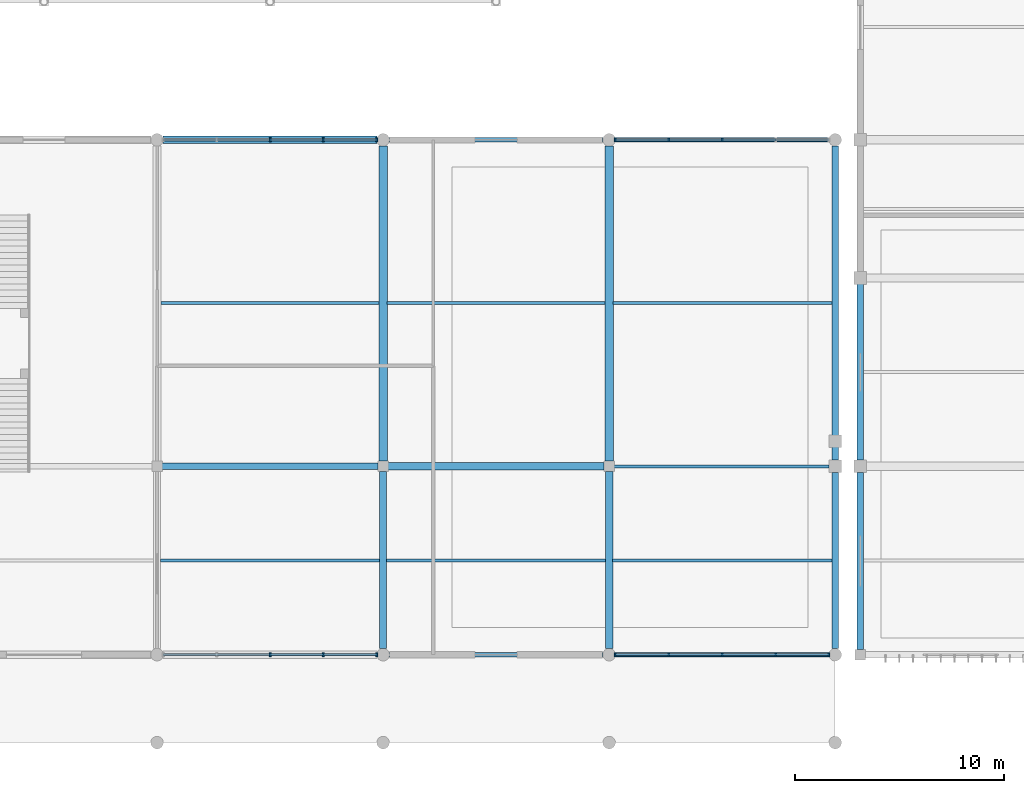
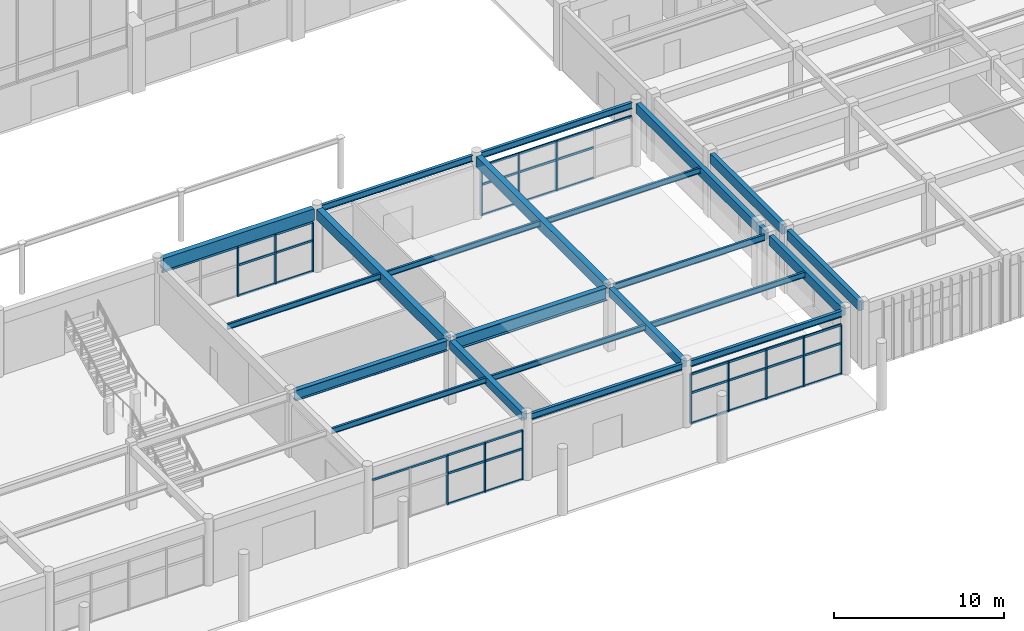
# One storey, part 32 of 82: 40 members, 22 beams, 4 elements without a shape of their own.
"""IFC4 building model written with IfcOpenShell, lengths in metres."""

import ifcopenshell
import ifcopenshell.guid

model = None  # the IFC model being written
_history = None  # IfcOwnerHistory: only IFC2X3 demands one
_inside = {}  # id of a spatial element -> (the spatial element, [elements in it])
_under = {}  # id of a project, library or spatial element -> (it, [spatial elements below it])
_declared = {}  # id of a project -> (the project, [libraries it declares])
_typed = {}  # id of a type object -> (the type object, [elements of that type])
_made_of = {}  # id of a material, layer set ... -> (it, [elements and type objects made of it])


def new_model(schema):
    """Start an empty IFC model of exactly this schema.

    Asked for "IFC4X3", IfcOpenShell would pick the latest addendum, in which some entities
    have other attributes; the version numbers below select the first issue.
    IFC2X3 requires an IfcOwnerHistory on every rooted entity: one is made here for all.
    """
    global model, _history
    if schema == "IFC4X3":
        model = ifcopenshell.file(schema_version=(4, 3, 0, 0))
    else:
        model = ifcopenshell.file(schema=schema)
    _inside.clear()
    _under.clear()
    _declared.clear()
    _typed.clear()
    _made_of.clear()
    _history = None
    if model.schema == "IFC2X3":
        org = make("IfcOrganization", Name="unknown")
        user = make(
            "IfcPersonAndOrganization",
            ThePerson=make("IfcPerson", FamilyName="unknown"),
            TheOrganization=org,
        )
        app = make(
            "IfcApplication",
            ApplicationDeveloper=org,
            Version="unknown",
            ApplicationFullName="unknown",
            ApplicationIdentifier="unknown",
        )
        _history = make(
            "IfcOwnerHistory",
            OwningUser=user,
            OwningApplication=app,
            ChangeAction="ADDED",
            CreationDate=0,
        )
    return model


def make(cls, **values):
    """One entity of the class cls with the attributes given. An attribute that is None is left unset."""
    return model.create_entity(
        cls, **{name: value for name, value in values.items() if value is not None}
    )


def rooted(cls, **values):
    """An entity with a GlobalId (a new one), such as an element, a storey or a relation."""
    return make(cls, GlobalId=ifcopenshell.guid.new(), OwnerHistory=_history, **values)


def si_unit(unit_type, name, prefix=None):
    """IfcSIUnit, for example si_unit("LENGTHUNIT", "METRE", prefix="MILLI")."""
    return make("IfcSIUnit", UnitType=unit_type, Prefix=prefix, Name=name)


def assignment(units):
    """IfcUnitAssignment: the units of a project."""
    return None if units is None else make("IfcUnitAssignment", Units=units)


def point(xyz):
    """IfcCartesianPoint."""
    return None if xyz is None else make("IfcCartesianPoint", Coordinates=xyz)


def direction(xyz):
    """IfcDirection."""
    return None if xyz is None else make("IfcDirection", DirectionRatios=xyz)


def frame(location, z_axis=None, x_axis=None):
    """IfcAxis2Placement3D, a coordinate frame: its origin and axes. An axis left out is left unset."""
    return make(
        "IfcAxis2Placement3D",
        Location=point(location),
        Axis=direction(z_axis),
        RefDirection=direction(x_axis),
    )


def frame_2d(location, x_axis=None):
    """IfcAxis2Placement2D, a coordinate frame in the plane: its origin and x axis."""
    return make(
        "IfcAxis2Placement2D", Location=point(location), RefDirection=direction(x_axis)
    )


def origin():
    """The frame at (0, 0, 0) with its axes left unset."""
    return frame((0.0, 0.0, 0.0))


def origin_2d():
    """The frame at (0, 0) in the plane with its x axis left unset."""
    return frame_2d((0.0, 0.0))


def place(relative_to, where):
    """IfcLocalPlacement: puts the frame where relative to a parent placement (None: the world)."""
    return make(
        "IfcLocalPlacement", PlacementRelTo=relative_to, RelativePlacement=where
    )


def context(
    kind, dimensions, precision=None, world=None, true_north=None, identifier=None
):
    """IfcGeometricRepresentationContext, for example the 3D "Model" context."""
    return make(
        "IfcGeometricRepresentationContext",
        ContextIdentifier=identifier,
        ContextType=kind,
        CoordinateSpaceDimension=dimensions,
        Precision=precision,
        WorldCoordinateSystem=world,
        TrueNorth=true_north,
    )


def subcontext(parent, identifier, kind, view, scale=None):
    """IfcGeometricRepresentationSubContext, for example "Body" below "Model"."""
    return make(
        "IfcGeometricRepresentationSubContext",
        ContextIdentifier=identifier,
        ContextType=kind,
        ParentContext=parent,
        TargetScale=scale,
        TargetView=view,
    )


def project(units=None, contexts=None):
    """IfcProject with its units and contexts."""
    return rooted(
        "IfcProject",
        Name="project",
        RepresentationContexts=contexts,
        UnitsInContext=assignment(units),
    )


def spatial(cls, under=None, at=None, **own):
    """A site, building, storey or space (cls), placed at a placement, below another one or the project."""
    s = rooted(cls, ObjectPlacement=at, **own)
    if under is not None:
        _under.setdefault(under.id(), (under, []))[1].append(s)
    return s


def profile(cls, at=None, kind="AREA", **sizes):
    """A parametric profile (cls). Its sizes go by their IFC names, for example OverallWidth=200.0."""
    return make(cls, ProfileType=kind, Position=at, **sizes)


def rectangle(**sizes):
    """IfcRectangleProfileDef."""
    return profile("IfcRectangleProfileDef", **sizes)


def i_section(**sizes):
    """IfcIShapeProfileDef."""
    return profile("IfcIShapeProfileDef", **sizes)


def extrude(swept, where, along, depth):
    """IfcExtrudedAreaSolid: the profile swept, set in the frame where, extruded along a direction by depth."""
    return make(
        "IfcExtrudedAreaSolid",
        SweptArea=swept,
        Position=where,
        ExtrudedDirection=direction(along),
        Depth=depth,
    )


def shape(context_of_items, identifier, shape_type, items):
    """IfcShapeRepresentation: the items that make up one representation, for example the "Body"."""
    return make(
        "IfcShapeRepresentation",
        ContextOfItems=context_of_items,
        RepresentationIdentifier=identifier,
        RepresentationType=shape_type,
        Items=items,
    )


def material(Name=None, Category=None):
    """IfcMaterial."""
    return make("IfcMaterial", Name=Name, Category=Category)


def material_profile(
    of_material, cross_section, Name=None, Category=None, Priority=None
):
    """IfcMaterialProfile: a cross section and its material."""
    return make(
        "IfcMaterialProfile",
        Name=Name,
        Material=of_material,
        Profile=cross_section,
        Priority=Priority,
        Category=Category,
    )


def profile_set(profiles, Name=None, composite=None):
    """IfcMaterialProfileSet."""
    return make(
        "IfcMaterialProfileSet",
        Name=Name,
        MaterialProfiles=profiles,
        CompositeProfile=composite,
    )


def made_of(thing, what):
    """Note that an element or type object is made of a material, layer set ...; save() writes the relation."""
    if what is not None:
        _made_of.setdefault(what.id(), (what, []))[1].append(thing)
    return thing


def type_object(cls, material=None, **own):
    """A type object (cls), such as IfcWallType, which elements share."""
    return made_of(rooted(cls, **own), material)


def element(
    cls,
    number,
    at=None,
    inside=None,
    cuts=None,
    type_object=None,
    material=None,
    context=None,
    identifier="Body",
    shape_type=None,
    held_by="IfcProductDefinitionShape",
    body=None,
    shapes=None,
    **own,
):
    """One element of the class cls, such as IfcWall. Its Tag is "e" and its number.

    at: its placement. inside: the storey or other place that contains it. cuts: it is an
    opening in that element (IfcRelVoidsElement). A single representation is given by context,
    identifier, shape_type and body (its items); several are given by shapes. held_by: the class
    of the entity that holds the representations. save() writes the other relations.
    """
    e = rooted(cls, Tag="e%d" % number, ObjectPlacement=at, **own)
    if body is not None:
        shapes = [shape(context, identifier, shape_type, body)]
    if shapes is not None:
        e.Representation = make(held_by, Representations=shapes)
    if inside is not None:
        _inside.setdefault(inside.id(), (inside, []))[1].append(e)
    if cuts is not None:
        rooted(
            "IfcRelVoidsElement", RelatingBuildingElement=cuts, RelatedOpeningElement=e
        )
    if type_object is not None:
        _typed.setdefault(type_object.id(), (type_object, []))[1].append(e)
    return made_of(e, material)


def aggregate(whole, parts):
    """IfcRelAggregates: a whole, such as a stair, and the parts it consists of."""
    return rooted("IfcRelAggregates", RelatingObject=whole, RelatedObjects=parts)


def save(model, path):
    """Write the relations noted so far, then the file.

    IfcRelAggregates (storeys below a building ...), IfcRelContainedInSpatialStructure (elements
    in a storey), IfcRelDefinesByType, IfcRelAssociatesMaterial and IfcRelDeclares: one each for
    every whole, place, type object, material and project.
    """
    for whole, parts in _under.values():
        aggregate(whole, parts)
    for where, things in _inside.values():
        rooted(
            "IfcRelContainedInSpatialStructure",
            RelatedElements=things,
            RelatingStructure=where,
        )
    for kind, things in _typed.values():
        rooted("IfcRelDefinesByType", RelatedObjects=things, RelatingType=kind)
    for what, things in _made_of.values():
        rooted("IfcRelAssociatesMaterial", RelatedObjects=things, RelatingMaterial=what)
    for by, libraries in _declared.values():
        rooted("IfcRelDeclares", RelatingContext=by, RelatedDefinitions=libraries)
    model.write(path)


model = new_model("IFC4")

# Units and contexts
model_context = context("Model", 3, precision=1e-05, world=origin(), true_north=direction((0.0, 1.0)))
body_context = subcontext(model_context, "Body", "Model", "MODEL_VIEW")
ifc_project = project(units=[si_unit("LENGTHUNIT", "METRE"), si_unit("AREAUNIT", "SQUARE_METRE"), si_unit("VOLUMEUNIT", "CUBIC_METRE"), si_unit("PLANEANGLEUNIT", "RADIAN"), si_unit("MASSUNIT", "GRAM", prefix="KILO")], contexts=[model_context])

# Site, building, storey
site_placement = place(None, origin())
site = spatial("IfcSite", under=ifc_project, at=site_placement, CompositionType="ELEMENT")
building_placement = place(site_placement, origin())
building = spatial("IfcBuilding", under=site, at=building_placement, Name="Suirenkawa Promenade Aquatics Centre", CompositionType="ELEMENT")
storey_placement = place(building_placement, origin())
storey = spatial("IfcBuildingStorey", under=building, at=storey_placement, Name="L00", CompositionType="ELEMENT", Elevation=0.0)

# Beams
ifc_material_1 = material(Name="Steel IS 2062 E350 (Grade 350)", Category="steel")
ifc_material_profile_1 = material_profile(ifc_material_1, i_section(OverallWidth=0.139892578125, OverallDepth=0.39990234375, WebThickness=0.009033203125, FlangeThickness=0.01611328125, at=origin_2d()), Name="ISMB 400", Category="steel")
ifc_profile_set_1 = profile_set([ifc_material_profile_1], Name="Steel IS 2062 E350 (Grade 350)")
beam_type_1 = type_object("IfcBeamType", Name="BT-JOIST-ISMB400", PredefinedType="JOIST", material=ifc_profile_set_1)
beam_1_placement = place(storey_placement, frame((122.569091796875, 8.699951171875, 4.347900390625), z_axis=(1.0, 0.0, 0.0), x_axis=(0.0, 1.0, 0.0)))
element("IfcBeam", 1, at=beam_1_placement, inside=storey, type_object=beam_type_1, Name="Secondary floor joist JS-04 BM-1537", PredefinedType="JOIST", context=body_context, shape_type="SweptSolid", body=[
    extrude(i_section(OverallWidth=0.139892578125, OverallDepth=0.39990234375, WebThickness=0.009033203125, FlangeThickness=0.01611328125, at=origin_2d()), origin(), (0.0, 0.0, 1.0), 10.4619140625),
])
beam_2_placement = place(storey_placement, frame((122.593994140625, 21.0, 4.347900390625), z_axis=(1.0, 0.0, 0.0), x_axis=(0.0, 1.0, 0.0)))
element("IfcBeam", 2, at=beam_2_placement, inside=storey, type_object=beam_type_1, Name="Secondary floor joist JS-04 BM-1538", PredefinedType="JOIST", context=body_context, shape_type="SweptSolid", body=[
    extrude(i_section(OverallWidth=0.139892578125, OverallDepth=0.39990234375, WebThickness=0.009033203125, FlangeThickness=0.01611328125, at=origin_2d()), origin(), (0.0, 0.0, 1.0), 10.412109375),
])
beam_3_placement = place(storey_placement, frame((133.368896484375, 8.699951171875, 4.347900390625), z_axis=(1.0, 0.0, 0.0), x_axis=(0.0, 1.0, 0.0)))
element("IfcBeam", 3, at=beam_3_placement, inside=storey, type_object=beam_type_1, Name="Secondary floor joist JS-04 BM-1539", PredefinedType="JOIST", context=body_context, shape_type="SweptSolid", body=[
    extrude(i_section(OverallWidth=0.139892578125, OverallDepth=0.39990234375, WebThickness=0.009033203125, FlangeThickness=0.01611328125, at=origin_2d()), origin(), (0.0, 0.0, 1.0), 10.462158203125),
])
beam_4_placement = place(storey_placement, frame((133.39404296875, 21.0, 4.347900390625), z_axis=(1.0, 0.0, 0.0), x_axis=(0.0, 1.0, 0.0)))
element("IfcBeam", 4, at=beam_4_placement, inside=storey, type_object=beam_type_1, Name="Secondary floor joist JS-04 BM-1540", PredefinedType="JOIST", context=body_context, shape_type="SweptSolid", body=[
    extrude(i_section(OverallWidth=0.139892578125, OverallDepth=0.39990234375, WebThickness=0.009033203125, FlangeThickness=0.01611328125, at=origin_2d()), origin(), (0.0, 0.0, 1.0), 10.411865234375),
])
beam_5_placement = place(storey_placement, frame((144.1689453125, 8.699951171875, 4.347900390625), z_axis=(1.0, 0.0, 0.0), x_axis=(0.0, 1.0, 0.0)))
element("IfcBeam", 5, at=beam_5_placement, inside=storey, type_object=beam_type_1, Name="Secondary floor joist JS-04 BM-1541", PredefinedType="JOIST", context=body_context, shape_type="SweptSolid", body=[
    extrude(i_section(OverallWidth=0.139892578125, OverallDepth=0.39990234375, WebThickness=0.009033203125, FlangeThickness=0.01611328125, at=origin_2d()), origin(), (0.0, 0.0, 1.0), 10.487060546875),
])
beam_6_placement = place(storey_placement, frame((144.194091796875, 21.0, 4.347900390625), z_axis=(1.0, 0.0, 0.0), x_axis=(0.0, 1.0, 0.0)))
element("IfcBeam", 6, at=beam_6_placement, inside=storey, type_object=beam_type_1, Name="Secondary floor joist JS-04 BM-1542", PredefinedType="JOIST", context=body_context, shape_type="SweptSolid", body=[
    extrude(i_section(OverallWidth=0.139892578125, OverallDepth=0.39990234375, WebThickness=0.009033203125, FlangeThickness=0.01611328125, at=origin_2d()), origin(), (0.0, 0.0, 1.0), 10.4619140625),
])
ifc_material_2 = material(Name="Concrete M35", Category="concrete")
ifc_material_profile_2 = material_profile(ifc_material_2, rectangle(XDim=0.35009765625, YDim=0.60009765625, at=origin_2d()), Name="RC BM 350x600", Category="concrete")
ifc_profile_set_2 = profile_set([ifc_material_profile_2], Name="Concrete M35")
beam_type_2 = type_object("IfcBeamType", Name="BT-RC-350x600", PredefinedType="BEAM", material=ifc_profile_set_2)
for number, where, z_axis, x_axis, name in (
    (7, (133.199951171875, 4.493896484375, 4.25), (0.0, 1.0, 0.0), (-1.0, 0.0, 0.0), "Floor beam BM-02 BM-1526"),
    (8, (144.0, 4.493896484375, 4.25), (0.0, 1.0, 0.0), (-1.0, 0.0, 0.0), "Floor beam BM-02 BM-1528"),
):
    element("IfcBeam", number, at=place(storey_placement, frame(where, z_axis=z_axis, x_axis=x_axis)), inside=storey, type_object=beam_type_2, Name=name, PredefinedType="BEAM", context=body_context, shape_type="SweptSolid", body=[
        extrude(rectangle(XDim=0.35009765625, YDim=0.60009765625, at=origin_2d()), origin(), (0.0, 0.0, 1.0), 8.462158203125),
    ])
ifc_material_3 = material(Name="Concrete M40", Category="concrete")
ifc_material_profile_3 = material_profile(ifc_material_3, rectangle(XDim=0.39990234375, YDim=0.75, at=origin_2d()), Name="RC BM 400x750", Category="concrete")
ifc_profile_set_3 = profile_set([ifc_material_profile_3], Name="Concrete M40")
beam_type_3 = type_object("IfcBeamType", Name="BT-RC-400x750", PredefinedType="BEAM", material=ifc_profile_set_3)
for number, where, z_axis, x_axis, name in (
    (9, (133.199951171875, 13.444091796875, 4.175048828125), (0.0, 1.0, 0.0), (-1.0, 0.0, 0.0), "Floor beam BM-05 BM-1527"),
    (10, (144.0, 13.444091796875, 4.175048828125), (0.0, 1.0, 0.0), (-1.0, 0.0, 0.0), "Floor beam BM-05 BM-1529"),
):
    element("IfcBeam", number, at=place(storey_placement, frame(where, z_axis=z_axis, x_axis=x_axis)), inside=storey, type_object=beam_type_3, Name=name, PredefinedType="BEAM", context=body_context, shape_type="SweptSolid", body=[
        extrude(rectangle(XDim=0.39990234375, YDim=0.75, at=origin_2d()), origin(), (0.0, 0.0, 1.0), 15.06201171875),
    ])
ifc_material_profile_4 = material_profile(ifc_material_3, rectangle(XDim=0.300048828125, YDim=0.699951171875, at=origin_2d()), Name="RC SPANDREL 300x700", Category="concrete")
ifc_profile_set_4 = profile_set([ifc_material_profile_4], Name="Concrete M40")
beam_type_4 = type_object("IfcBeamType", Name="BT-SPANDREL-300x700", PredefinedType="SPANDREL", material=ifc_profile_set_4)
beam_7_placement = place(storey_placement, frame((154.800048828125, 4.493896484375, 4.199951171875), z_axis=(0.0, 1.0, 0.0), x_axis=(-1.0, 0.0, 0.0)))
element("IfcBeam", 11, at=beam_7_placement, inside=storey, type_object=beam_type_4, Name="Floor beam SP-01 BM-1530", PredefinedType="SPANDREL", context=body_context, shape_type="SweptSolid", body=[
    extrude(rectangle(XDim=0.300048828125, YDim=0.699951171875, at=origin_2d()), origin(), (0.0, 0.0, 1.0), 8.412109375),
])
beam_8_placement = place(storey_placement, frame((154.800048828125, 13.493896484375, 4.199951171875), z_axis=(0.0, 1.0, 0.0), x_axis=(-1.0, 0.0, 0.0)))
element("IfcBeam", 12, at=beam_8_placement, inside=storey, type_object=beam_type_4, Name="Floor beam SP-01 BM-1531", PredefinedType="SPANDREL", context=body_context, shape_type="SweptSolid", body=[
    extrude(rectangle(XDim=0.300048828125, YDim=0.699951171875, at=origin_2d()), origin(), (0.0, 0.0, 1.0), 15.01220703125),
])
beam_9_placement = place(storey_placement, frame((156.0, 4.444091796875, 4.18994140625), z_axis=(0.0, 1.0, 0.0), x_axis=(-1.0, 0.0, 0.0)))
element("IfcBeam", 13, at=beam_9_placement, inside=storey, type_object=beam_type_4, Name="Floor beam SP-01 BM-1633", PredefinedType="SPANDREL", context=body_context, shape_type="SweptSolid", body=[
    extrude(rectangle(XDim=0.300048828125, YDim=0.699951171875, at=origin_2d()), origin(), (0.0, 0.0, 1.0), 8.4619140625),
])
beam_10_placement = place(storey_placement, frame((156.0, 13.493896484375, 4.18994140625), z_axis=(0.0, 1.0, 0.0), x_axis=(-1.0, 0.0, 0.0)))
element("IfcBeam", 14, at=beam_10_placement, inside=storey, type_object=beam_type_4, Name="Floor beam SP-01 BM-1634", PredefinedType="SPANDREL", context=body_context, shape_type="SweptSolid", body=[
    extrude(rectangle(XDim=0.300048828125, YDim=0.699951171875, at=origin_2d()), origin(), (0.0, 0.0, 1.0), 8.412109375),
])
ifc_material_profile_5 = material_profile(ifc_material_3, rectangle(XDim=0.35009765625, YDim=0.85009765625, at=origin_2d()), Name="RC SPANDREL 350x850", Category="concrete")
ifc_profile_set_5 = profile_set([ifc_material_profile_5], Name="Concrete M40")
beam_type_5 = type_object("IfcBeamType", Name="BT-SPANDREL-350x850", PredefinedType="SPANDREL", material=ifc_profile_set_5)
beam_11_placement = place(storey_placement, frame((122.694091796875, 28.800048828125, 4.125), z_axis=(1.0, 0.0, 0.0), x_axis=(0.0, 1.0, 0.0)))
element("IfcBeam", 15, at=beam_11_placement, inside=storey, type_object=beam_type_5, Name="Floor beam SP-02 BM-1515", PredefinedType="SPANDREL", context=body_context, shape_type="SweptSolid", body=[
    extrude(rectangle(XDim=0.35009765625, YDim=0.85009765625, at=origin_2d()), origin(), (0.0, 0.0, 1.0), 10.2119140625),
])
ifc_material_profile_6 = material_profile(ifc_material_1, i_section(OverallWidth=0.14990234375, OverallDepth=0.449951171875, WebThickness=0.009033203125, FlangeThickness=0.01708984375, at=origin_2d()), Name="ISMB 450", Category="steel")
ifc_profile_set_6 = profile_set([ifc_material_profile_6], Name="Steel IS 2062 E350 (Grade 350)")
beam_type_6 = type_object("IfcBeamType", Name="BT-STL-ISMB450", PredefinedType="BEAM", material=ifc_profile_set_6)
beam_12_placement = place(storey_placement, frame((144.243896484375, 13.199951171875, 4.324951171875), z_axis=(1.0, 0.0, 0.0), x_axis=(0.0, 1.0, 0.0)))
element("IfcBeam", 16, at=beam_12_placement, inside=storey, type_object=beam_type_6, Name="Floor beam BM-08 BM-1510", PredefinedType="BEAM", context=body_context, shape_type="SweptSolid", body=[
    extrude(i_section(OverallWidth=0.14990234375, OverallDepth=0.449951171875, WebThickness=0.009033203125, FlangeThickness=0.01708984375, at=origin_2d()), origin(), (0.0, 0.0, 1.0), 10.26220703125),
])
ifc_material_profile_7 = material_profile(ifc_material_1, i_section(OverallWidth=0.199951171875, OverallDepth=0.449951171875, WebThickness=0.009033203125, FlangeThickness=0.014892578125, at=origin_2d()), Name="ISWB 450", Category="steel")
ifc_profile_set_7 = profile_set([ifc_material_profile_7], Name="Steel IS 2062 E350 (Grade 350)")
beam_type_7 = type_object("IfcBeamType", Name="BT-STL-SPANDREL-450", PredefinedType="SPANDREL", material=ifc_profile_set_7)
for number, where, z_axis, x_axis, name in (
    (17, (133.493896484375, 4.199951171875, 4.324951171875), (1.0, 0.0, 0.0), (0.0, 1.0, 0.0), "Floor beam SP-03 BM-1502"),
    (18, (144.2939453125, 4.199951171875, 4.324951171875), (1.0, 0.0, 0.0), (0.0, 1.0, 0.0), "Floor beam SP-03 BM-1503"),
    (19, (133.493896484375, 28.800048828125, 4.324951171875), (1.0, 0.0, 0.0), (0.0, 1.0, 0.0), "Floor beam SP-03 BM-1516"),
    (20, (144.2939453125, 28.800048828125, 4.324951171875), (1.0, 0.0, 0.0), (0.0, 1.0, 0.0), "Floor beam SP-03 BM-1517"),
):
    element("IfcBeam", number, at=place(storey_placement, frame(where, z_axis=z_axis, x_axis=x_axis)), inside=storey, type_object=beam_type_7, Name=name, PredefinedType="SPANDREL", context=body_context, shape_type="SweptSolid", body=[
        extrude(i_section(OverallWidth=0.199951171875, OverallDepth=0.449951171875, WebThickness=0.009033203125, FlangeThickness=0.014892578125, at=origin_2d()), origin(), (0.0, 0.0, 1.0), 10.212158203125),
    ])
ifc_material_profile_8 = material_profile(ifc_material_1, i_section(OverallWidth=0.300048828125, OverallDepth=0.75, WebThickness=0.013916015625, FlangeThickness=0.02490234375, at=origin_2d()), Name="WPG 750x300", Category="steel")
ifc_profile_set_8 = profile_set([ifc_material_profile_8], Name="Steel IS 2062 E350 (Grade 350)")
beam_type_8 = type_object("IfcBeamType", Name="BT-STL-WPG750", PredefinedType="BEAM", material=ifc_profile_set_8)
beam_13_placement = place(storey_placement, frame((122.64404296875, 13.199951171875, 4.175048828125), z_axis=(1.0, 0.0, 0.0), x_axis=(0.0, 1.0, 0.0)))
element("IfcBeam", 21, at=beam_13_placement, inside=storey, type_object=beam_type_8, Name="Floor beam BM-13 BM-1508", PredefinedType="BEAM", context=body_context, shape_type="SweptSolid", body=[
    extrude(i_section(OverallWidth=0.300048828125, OverallDepth=0.75, WebThickness=0.013916015625, FlangeThickness=0.02490234375, at=origin_2d()), origin(), (0.0, 0.0, 1.0), 10.31201171875),
])
ifc_material_profile_9 = material_profile(ifc_material_1, i_section(OverallWidth=0.35009765625, OverallDepth=0.89990234375, WebThickness=0.01611328125, FlangeThickness=0.031982421875, at=origin_2d()), Name="WPG 900x350", Category="steel")
ifc_profile_set_9 = profile_set([ifc_material_profile_9], Name="Steel IS 2062 E350 (Grade 350)")
beam_type_9 = type_object("IfcBeamType", Name="BT-STL-WPG900", PredefinedType="BEAM", material=ifc_profile_set_9)
beam_14_placement = place(storey_placement, frame((133.444091796875, 13.199951171875, 4.10009765625), z_axis=(1.0, 0.0, 0.0), x_axis=(0.0, 1.0, 0.0)))
element("IfcBeam", 22, at=beam_14_placement, inside=storey, type_object=beam_type_9, Name="Floor beam BM-14 BM-1509", PredefinedType="BEAM", context=body_context, shape_type="SweptSolid", body=[
    extrude(i_section(OverallWidth=0.35009765625, OverallDepth=0.89990234375, WebThickness=0.01611328125, FlangeThickness=0.031982421875, at=origin_2d()), origin(), (0.0, 0.0, 1.0), 10.31201171875),
])

# Curtain wall, members
ifc_material_4 = material(Name="Anodised aluminium 6063-T6", Category="aluminium")
curtain_wall_type_1 = type_object("IfcCurtainWallType", Name="CWAT-V3SL0-27", PredefinedType="NOTDEFINED", material=ifc_material_4)
curtain_wall_1_placement = place(storey_placement, origin())
curtain_wall_1 = element("IfcCurtainWall", 23, at=curtain_wall_1_placement, inside=storey, type_object=curtain_wall_type_1, Name="Curtain wall CWA-27 CW-067", PredefinedType="NOTDEFINED")
ifc_material_profile_10 = material_profile(ifc_material_4, rectangle(XDim=0.094970703125, YDim=0.18994140625, at=origin_2d()), Name="ALU MULL 95x190", Category="aluminium")
ifc_profile_set_10 = profile_set([ifc_material_profile_10], Name="Anodised aluminium 6063-T6")
member_type_1 = type_object("IfcMemberType", Name="CWM-190x95", PredefinedType="MULLION", material=ifc_profile_set_10)
member_1_placement = place(storey_placement, frame((132.90087890625, 4.199951171875, 0.0), z_axis=(0.0, 0.0, 1.0), x_axis=(-1.0, 0.0, 0.0)))
member_1 = element("IfcMember", 24, at=member_1_placement, type_object=member_type_1, Name="Mullion ML-02 CWM-01343", PredefinedType="MULLION", context=body_context, shape_type="SweptSolid", body=[
    extrude(rectangle(XDim=0.094970703125, YDim=0.18994140625, at=origin_2d()), origin(), (0.0, 0.0, 1.0), 3.52001953125),
])
member_2_placement = place(storey_placement, frame((130.3505859375, 4.199951171875, 0.0), z_axis=(0.0, 0.0, 1.0), x_axis=(-1.0, 0.0, 0.0)))
member_2 = element("IfcMember", 25, at=member_2_placement, type_object=member_type_1, Name="Mullion ML-02 CWM-01344", PredefinedType="MULLION", context=body_context, shape_type="SweptSolid", body=[
    extrude(rectangle(XDim=0.094970703125, YDim=0.18994140625, at=origin_2d()), origin(), (0.0, 0.0, 1.0), 3.52001953125),
])
member_3_placement = place(storey_placement, frame((127.800048828125, 4.199951171875, 0.0), z_axis=(0.0, 0.0, 1.0), x_axis=(-1.0, 0.0, 0.0)))
member_3 = element("IfcMember", 26, at=member_3_placement, type_object=member_type_1, Name="Mullion ML-02 CWM-01345", PredefinedType="MULLION", context=body_context, shape_type="SweptSolid", body=[
    extrude(rectangle(XDim=0.094970703125, YDim=0.18994140625, at=origin_2d()), origin(), (0.0, 0.0, 1.0), 3.52001953125),
])

curtain_wall_type_2 = type_object("IfcCurtainWallType", Name="CWAT-V3NL0-26", PredefinedType="NOTDEFINED", material=ifc_material_4)
curtain_wall_2_placement = place(storey_placement, origin())
curtain_wall_2 = element("IfcCurtainWall", 27, at=curtain_wall_2_placement, inside=storey, type_object=curtain_wall_type_2, Name="Curtain wall CWA-26 CW-068", PredefinedType="NOTDEFINED")
member_4_placement = place(storey_placement, frame((127.800048828125, 28.800048828125, 0.0), z_axis=(0.0, 0.0, 1.0), x_axis=(1.0, 0.0, 0.0)))
member_4 = element("IfcMember", 28, at=member_4_placement, type_object=member_type_1, Name="Mullion ML-02 CWM-01367", PredefinedType="MULLION", context=body_context, shape_type="SweptSolid", body=[
    extrude(rectangle(XDim=0.094970703125, YDim=0.18994140625, at=origin_2d()), origin(), (0.0, 0.0, 1.0), 3.52001953125),
])
member_5_placement = place(storey_placement, frame((130.3505859375, 28.800048828125, 0.0), z_axis=(0.0, 0.0, 1.0), x_axis=(1.0, 0.0, 0.0)))
member_5 = element("IfcMember", 29, at=member_5_placement, type_object=member_type_1, Name="Mullion ML-02 CWM-01368", PredefinedType="MULLION", context=body_context, shape_type="SweptSolid", body=[
    extrude(rectangle(XDim=0.094970703125, YDim=0.18994140625, at=origin_2d()), origin(), (0.0, 0.0, 1.0), 3.52001953125),
])
member_6_placement = place(storey_placement, frame((132.90087890625, 28.800048828125, 0.0), z_axis=(0.0, 0.0, 1.0), x_axis=(1.0, 0.0, 0.0)))
member_6 = element("IfcMember", 30, at=member_6_placement, type_object=member_type_1, Name="Mullion ML-02 CWM-01369", PredefinedType="MULLION", context=body_context, shape_type="SweptSolid", body=[
    extrude(rectangle(XDim=0.094970703125, YDim=0.18994140625, at=origin_2d()), origin(), (0.0, 0.0, 1.0), 3.52001953125),
])

curtain_wall_3_placement = place(storey_placement, origin())
curtain_wall_3 = element("IfcCurtainWall", 31, at=curtain_wall_3_placement, inside=storey, type_object=curtain_wall_type_1, Name="Curtain wall CWA-27 CW-069", PredefinedType="NOTDEFINED")
member_7_placement = place(storey_placement, frame((154.5009765625, 4.199951171875, 0.0), z_axis=(0.0, 0.0, 1.0), x_axis=(-1.0, 0.0, 0.0)))
member_7 = element("IfcMember", 32, at=member_7_placement, type_object=member_type_1, Name="Mullion ML-02 CWM-01387", PredefinedType="MULLION", context=body_context, shape_type="SweptSolid", body=[
    extrude(rectangle(XDim=0.094970703125, YDim=0.18994140625, at=origin_2d()), origin(), (0.0, 0.0, 1.0), 3.52001953125),
])
member_8_placement = place(storey_placement, frame((151.950439453125, 4.199951171875, 0.0), z_axis=(0.0, 0.0, 1.0), x_axis=(-1.0, 0.0, 0.0)))
member_8 = element("IfcMember", 33, at=member_8_placement, type_object=member_type_1, Name="Mullion ML-02 CWM-01388", PredefinedType="MULLION", context=body_context, shape_type="SweptSolid", body=[
    extrude(rectangle(XDim=0.094970703125, YDim=0.18994140625, at=origin_2d()), origin(), (0.0, 0.0, 1.0), 3.52001953125),
])
member_9_placement = place(storey_placement, frame((149.39990234375, 4.199951171875, 0.0), z_axis=(0.0, 0.0, 1.0), x_axis=(-1.0, 0.0, 0.0)))
member_9 = element("IfcMember", 34, at=member_9_placement, type_object=member_type_1, Name="Mullion ML-02 CWM-01389", PredefinedType="MULLION", context=body_context, shape_type="SweptSolid", body=[
    extrude(rectangle(XDim=0.094970703125, YDim=0.18994140625, at=origin_2d()), origin(), (0.0, 0.0, 1.0), 3.52001953125),
])
member_10_placement = place(storey_placement, frame((146.849609375, 4.199951171875, 0.0), z_axis=(0.0, 0.0, 1.0), x_axis=(-1.0, 0.0, 0.0)))
member_10 = element("IfcMember", 35, at=member_10_placement, type_object=member_type_1, Name="Mullion ML-02 CWM-01390", PredefinedType="MULLION", context=body_context, shape_type="SweptSolid", body=[
    extrude(rectangle(XDim=0.094970703125, YDim=0.18994140625, at=origin_2d()), origin(), (0.0, 0.0, 1.0), 3.52001953125),
])
member_11_placement = place(storey_placement, frame((144.299072265625, 4.199951171875, 0.0), z_axis=(0.0, 0.0, 1.0), x_axis=(-1.0, 0.0, 0.0)))
member_11 = element("IfcMember", 36, at=member_11_placement, type_object=member_type_1, Name="Mullion ML-02 CWM-01391", PredefinedType="MULLION", context=body_context, shape_type="SweptSolid", body=[
    extrude(rectangle(XDim=0.094970703125, YDim=0.18994140625, at=origin_2d()), origin(), (0.0, 0.0, 1.0), 3.52001953125),
])

curtain_wall_4_placement = place(storey_placement, origin())
curtain_wall_4 = element("IfcCurtainWall", 37, at=curtain_wall_4_placement, inside=storey, type_object=curtain_wall_type_2, Name="Curtain wall CWA-26 CW-070", PredefinedType="NOTDEFINED")
member_12_placement = place(storey_placement, frame((144.299072265625, 28.800048828125, 0.0), z_axis=(0.0, 0.0, 1.0), x_axis=(1.0, 0.0, 0.0)))
member_12 = element("IfcMember", 38, at=member_12_placement, type_object=member_type_1, Name="Mullion ML-02 CWM-01409", PredefinedType="MULLION", context=body_context, shape_type="SweptSolid", body=[
    extrude(rectangle(XDim=0.094970703125, YDim=0.18994140625, at=origin_2d()), origin(), (0.0, 0.0, 1.0), 3.52001953125),
])
member_13_placement = place(storey_placement, frame((146.849609375, 28.800048828125, 0.0), z_axis=(0.0, 0.0, 1.0), x_axis=(1.0, 0.0, 0.0)))
member_13 = element("IfcMember", 39, at=member_13_placement, type_object=member_type_1, Name="Mullion ML-02 CWM-01410", PredefinedType="MULLION", context=body_context, shape_type="SweptSolid", body=[
    extrude(rectangle(XDim=0.094970703125, YDim=0.18994140625, at=origin_2d()), origin(), (0.0, 0.0, 1.0), 3.52001953125),
])
member_14_placement = place(storey_placement, frame((149.39990234375, 28.800048828125, 0.0), z_axis=(0.0, 0.0, 1.0), x_axis=(1.0, 0.0, 0.0)))
member_14 = element("IfcMember", 40, at=member_14_placement, type_object=member_type_1, Name="Mullion ML-02 CWM-01411", PredefinedType="MULLION", context=body_context, shape_type="SweptSolid", body=[
    extrude(rectangle(XDim=0.094970703125, YDim=0.18994140625, at=origin_2d()), origin(), (0.0, 0.0, 1.0), 3.52001953125),
])

# Member
ifc_material_profile_11 = material_profile(ifc_material_4, rectangle(XDim=0.094970703125, YDim=0.14990234375, at=origin_2d()), Name="ALU TRAN 95x150", Category="aluminium")
ifc_profile_set_11 = profile_set([ifc_material_profile_11], Name="Anodised aluminium 6063-T6")
member_type_2 = type_object("IfcMemberType", Name="CWT-150x95", PredefinedType="USERDEFINED", material=ifc_profile_set_11)
member_15_placement = place(storey_placement, frame((132.90087890625, 4.199951171875, 0.0), z_axis=(-1.0, 0.0, 0.0), x_axis=(0.0, -1.0, 0.0)))
member_15 = element("IfcMember", 41, at=member_15_placement, type_object=member_type_2, Name="Transom TR-02 CWT-01348", ObjectType="TRANSOM", PredefinedType="USERDEFINED", context=body_context, shape_type="SweptSolid", body=[
    extrude(rectangle(XDim=0.094970703125, YDim=0.14990234375, at=origin_2d()), origin(), (0.0, 0.0, 1.0), 2.55029296875),
])

member_16_placement = place(storey_placement, frame((130.3505859375, 4.199951171875, 0.0), z_axis=(-1.0, 0.0, 0.0), x_axis=(0.0, -1.0, 0.0)))
member_16 = element("IfcMember", 42, at=member_16_placement, type_object=member_type_2, Name="Transom TR-02 CWT-01349", ObjectType="TRANSOM", PredefinedType="USERDEFINED", context=body_context, shape_type="SweptSolid", body=[
    extrude(rectangle(XDim=0.094970703125, YDim=0.14990234375, at=origin_2d()), origin(), (0.0, 0.0, 1.0), 2.550537109375),
])

member_17_placement = place(storey_placement, frame((132.90087890625, 4.199951171875, 2.199951171875), z_axis=(-1.0, 0.0, 0.0), x_axis=(0.0, -1.0, 0.0)))
member_17 = element("IfcMember", 43, at=member_17_placement, type_object=member_type_2, Name="Transom TR-02 CWT-01352", ObjectType="TRANSOM", PredefinedType="USERDEFINED", context=body_context, shape_type="SweptSolid", body=[
    extrude(rectangle(XDim=0.094970703125, YDim=0.14990234375, at=origin_2d()), origin(), (0.0, 0.0, 1.0), 2.55029296875),
])

member_18_placement = place(storey_placement, frame((130.3505859375, 4.199951171875, 2.199951171875), z_axis=(-1.0, 0.0, 0.0), x_axis=(0.0, -1.0, 0.0)))
member_18 = element("IfcMember", 44, at=member_18_placement, type_object=member_type_2, Name="Transom TR-02 CWT-01353", ObjectType="TRANSOM", PredefinedType="USERDEFINED", context=body_context, shape_type="SweptSolid", body=[
    extrude(rectangle(XDim=0.094970703125, YDim=0.14990234375, at=origin_2d()), origin(), (0.0, 0.0, 1.0), 2.550537109375),
])

member_19_placement = place(storey_placement, frame((132.90087890625, 4.199951171875, 3.52001953125), z_axis=(-1.0, 0.0, 0.0), x_axis=(0.0, -1.0, 0.0)))
member_19 = element("IfcMember", 45, at=member_19_placement, type_object=member_type_2, Name="Roofline transom TR-02 CWT-01356", ObjectType="TRANSOM", PredefinedType="USERDEFINED", context=body_context, shape_type="SweptSolid", body=[
    extrude(rectangle(XDim=0.094970703125, YDim=0.14990234375, at=origin_2d()), origin(), (0.0, 0.0, 1.0), 10.201904296875),
])

aggregate(curtain_wall_1, [member_1, member_2, member_3, member_15, member_16, member_17, member_18, member_19])

member_20_placement = place(storey_placement, frame((127.800048828125, 28.800048828125, 0.0), z_axis=(1.0, 0.0, 0.0), x_axis=(0.0, 1.0, 0.0)))
member_20 = element("IfcMember", 46, at=member_20_placement, type_object=member_type_2, Name="Transom TR-02 CWT-01372", ObjectType="TRANSOM", PredefinedType="USERDEFINED", context=body_context, shape_type="SweptSolid", body=[
    extrude(rectangle(XDim=0.094970703125, YDim=0.14990234375, at=origin_2d()), origin(), (0.0, 0.0, 1.0), 2.550537109375),
])

member_21_placement = place(storey_placement, frame((130.3505859375, 28.800048828125, 0.0), z_axis=(1.0, 0.0, 0.0), x_axis=(0.0, 1.0, 0.0)))
member_21 = element("IfcMember", 47, at=member_21_placement, type_object=member_type_2, Name="Transom TR-02 CWT-01373", ObjectType="TRANSOM", PredefinedType="USERDEFINED", context=body_context, shape_type="SweptSolid", body=[
    extrude(rectangle(XDim=0.094970703125, YDim=0.14990234375, at=origin_2d()), origin(), (0.0, 0.0, 1.0), 2.55029296875),
])

member_22_placement = place(storey_placement, frame((127.800048828125, 28.800048828125, 2.199951171875), z_axis=(1.0, 0.0, 0.0), x_axis=(0.0, 1.0, 0.0)))
member_22 = element("IfcMember", 48, at=member_22_placement, type_object=member_type_2, Name="Transom TR-02 CWT-01376", ObjectType="TRANSOM", PredefinedType="USERDEFINED", context=body_context, shape_type="SweptSolid", body=[
    extrude(rectangle(XDim=0.094970703125, YDim=0.14990234375, at=origin_2d()), origin(), (0.0, 0.0, 1.0), 2.550537109375),
])

member_23_placement = place(storey_placement, frame((130.3505859375, 28.800048828125, 2.199951171875), z_axis=(1.0, 0.0, 0.0), x_axis=(0.0, 1.0, 0.0)))
member_23 = element("IfcMember", 49, at=member_23_placement, type_object=member_type_2, Name="Transom TR-02 CWT-01377", ObjectType="TRANSOM", PredefinedType="USERDEFINED", context=body_context, shape_type="SweptSolid", body=[
    extrude(rectangle(XDim=0.094970703125, YDim=0.14990234375, at=origin_2d()), origin(), (0.0, 0.0, 1.0), 2.55029296875),
])

member_24_placement = place(storey_placement, frame((122.698974609375, 28.800048828125, 3.52001953125), z_axis=(1.0, 0.0, 0.0), x_axis=(0.0, 1.0, 0.0)))
member_24 = element("IfcMember", 50, at=member_24_placement, type_object=member_type_2, Name="Roofline transom TR-02 CWT-01378", ObjectType="TRANSOM", PredefinedType="USERDEFINED", context=body_context, shape_type="SweptSolid", body=[
    extrude(rectangle(XDim=0.094970703125, YDim=0.14990234375, at=origin_2d()), origin(), (0.0, 0.0, 1.0), 10.201904296875),
])

aggregate(curtain_wall_2, [member_4, member_5, member_6, member_20, member_21, member_22, member_23, member_24])

member_25_placement = place(storey_placement, frame((154.5009765625, 4.199951171875, 0.0), z_axis=(-1.0, 0.0, 0.0), x_axis=(0.0, -1.0, 0.0)))
member_25 = element("IfcMember", 51, at=member_25_placement, type_object=member_type_2, Name="Transom TR-02 CWT-01392", ObjectType="TRANSOM", PredefinedType="USERDEFINED", context=body_context, shape_type="SweptSolid", body=[
    extrude(rectangle(XDim=0.094970703125, YDim=0.14990234375, at=origin_2d()), origin(), (0.0, 0.0, 1.0), 2.550537109375),
])

member_26_placement = place(storey_placement, frame((151.950439453125, 4.199951171875, 0.0), z_axis=(-1.0, 0.0, 0.0), x_axis=(0.0, -1.0, 0.0)))
member_26 = element("IfcMember", 52, at=member_26_placement, type_object=member_type_2, Name="Transom TR-02 CWT-01393", ObjectType="TRANSOM", PredefinedType="USERDEFINED", context=body_context, shape_type="SweptSolid", body=[
    extrude(rectangle(XDim=0.094970703125, YDim=0.14990234375, at=origin_2d()), origin(), (0.0, 0.0, 1.0), 2.550537109375),
])

member_27_placement = place(storey_placement, frame((149.39990234375, 4.199951171875, 0.0), z_axis=(-1.0, 0.0, 0.0), x_axis=(0.0, -1.0, 0.0)))
member_27 = element("IfcMember", 53, at=member_27_placement, type_object=member_type_2, Name="Transom TR-02 CWT-01394", ObjectType="TRANSOM", PredefinedType="USERDEFINED", context=body_context, shape_type="SweptSolid", body=[
    extrude(rectangle(XDim=0.094970703125, YDim=0.14990234375, at=origin_2d()), origin(), (0.0, 0.0, 1.0), 2.55029296875),
])

member_28_placement = place(storey_placement, frame((146.849609375, 4.199951171875, 0.0), z_axis=(-1.0, 0.0, 0.0), x_axis=(0.0, -1.0, 0.0)))
member_28 = element("IfcMember", 54, at=member_28_placement, type_object=member_type_2, Name="Transom TR-02 CWT-01395", ObjectType="TRANSOM", PredefinedType="USERDEFINED", context=body_context, shape_type="SweptSolid", body=[
    extrude(rectangle(XDim=0.094970703125, YDim=0.14990234375, at=origin_2d()), origin(), (0.0, 0.0, 1.0), 2.550537109375),
])

member_29_placement = place(storey_placement, frame((154.5009765625, 4.199951171875, 2.199951171875), z_axis=(-1.0, 0.0, 0.0), x_axis=(0.0, -1.0, 0.0)))
member_29 = element("IfcMember", 55, at=member_29_placement, type_object=member_type_2, Name="Transom TR-02 CWT-01396", ObjectType="TRANSOM", PredefinedType="USERDEFINED", context=body_context, shape_type="SweptSolid", body=[
    extrude(rectangle(XDim=0.094970703125, YDim=0.14990234375, at=origin_2d()), origin(), (0.0, 0.0, 1.0), 2.550537109375),
])

member_30_placement = place(storey_placement, frame((151.950439453125, 4.199951171875, 2.199951171875), z_axis=(-1.0, 0.0, 0.0), x_axis=(0.0, -1.0, 0.0)))
member_30 = element("IfcMember", 56, at=member_30_placement, type_object=member_type_2, Name="Transom TR-02 CWT-01397", ObjectType="TRANSOM", PredefinedType="USERDEFINED", context=body_context, shape_type="SweptSolid", body=[
    extrude(rectangle(XDim=0.094970703125, YDim=0.14990234375, at=origin_2d()), origin(), (0.0, 0.0, 1.0), 2.550537109375),
])

member_31_placement = place(storey_placement, frame((149.39990234375, 4.199951171875, 2.199951171875), z_axis=(-1.0, 0.0, 0.0), x_axis=(0.0, -1.0, 0.0)))
member_31 = element("IfcMember", 57, at=member_31_placement, type_object=member_type_2, Name="Transom TR-02 CWT-01398", ObjectType="TRANSOM", PredefinedType="USERDEFINED", context=body_context, shape_type="SweptSolid", body=[
    extrude(rectangle(XDim=0.094970703125, YDim=0.14990234375, at=origin_2d()), origin(), (0.0, 0.0, 1.0), 2.55029296875),
])

member_32_placement = place(storey_placement, frame((146.849609375, 4.199951171875, 2.199951171875), z_axis=(-1.0, 0.0, 0.0), x_axis=(0.0, -1.0, 0.0)))
member_32 = element("IfcMember", 58, at=member_32_placement, type_object=member_type_2, Name="Transom TR-02 CWT-01399", ObjectType="TRANSOM", PredefinedType="USERDEFINED", context=body_context, shape_type="SweptSolid", body=[
    extrude(rectangle(XDim=0.094970703125, YDim=0.14990234375, at=origin_2d()), origin(), (0.0, 0.0, 1.0), 2.550537109375),
])

member_33_placement = place(storey_placement, frame((154.5009765625, 4.199951171875, 3.52001953125), z_axis=(-1.0, 0.0, 0.0), x_axis=(0.0, -1.0, 0.0)))
member_33 = element("IfcMember", 59, at=member_33_placement, type_object=member_type_2, Name="Roofline transom TR-02 CWT-01400", ObjectType="TRANSOM", PredefinedType="USERDEFINED", context=body_context, shape_type="SweptSolid", body=[
    extrude(rectangle(XDim=0.094970703125, YDim=0.14990234375, at=origin_2d()), origin(), (0.0, 0.0, 1.0), 10.201904296875),
])

aggregate(curtain_wall_3, [member_7, member_8, member_9, member_10, member_11, member_25, member_26, member_27, member_28, member_29, member_30, member_31, member_32, member_33])

member_34_placement = place(storey_placement, frame((144.299072265625, 28.800048828125, 0.0), z_axis=(1.0, 0.0, 0.0), x_axis=(0.0, 1.0, 0.0)))
member_34 = element("IfcMember", 60, at=member_34_placement, type_object=member_type_2, Name="Transom TR-02 CWT-01414", ObjectType="TRANSOM", PredefinedType="USERDEFINED", context=body_context, shape_type="SweptSolid", body=[
    extrude(rectangle(XDim=0.094970703125, YDim=0.14990234375, at=origin_2d()), origin(), (0.0, 0.0, 1.0), 2.550537109375),
])

member_35_placement = place(storey_placement, frame((146.849609375, 28.800048828125, 0.0), z_axis=(1.0, 0.0, 0.0), x_axis=(0.0, 1.0, 0.0)))
member_35 = element("IfcMember", 61, at=member_35_placement, type_object=member_type_2, Name="Transom TR-02 CWT-01415", ObjectType="TRANSOM", PredefinedType="USERDEFINED", context=body_context, shape_type="SweptSolid", body=[
    extrude(rectangle(XDim=0.094970703125, YDim=0.14990234375, at=origin_2d()), origin(), (0.0, 0.0, 1.0), 2.55029296875),
])

member_36_placement = place(storey_placement, frame((149.39990234375, 28.800048828125, 0.0), z_axis=(1.0, 0.0, 0.0), x_axis=(0.0, 1.0, 0.0)))
member_36 = element("IfcMember", 62, at=member_36_placement, type_object=member_type_2, Name="Transom TR-02 CWT-01416", ObjectType="TRANSOM", PredefinedType="USERDEFINED", context=body_context, shape_type="SweptSolid", body=[
    extrude(rectangle(XDim=0.094970703125, YDim=0.14990234375, at=origin_2d()), origin(), (0.0, 0.0, 1.0), 2.550537109375),
])

member_37_placement = place(storey_placement, frame((144.299072265625, 28.800048828125, 2.199951171875), z_axis=(1.0, 0.0, 0.0), x_axis=(0.0, 1.0, 0.0)))
member_37 = element("IfcMember", 63, at=member_37_placement, type_object=member_type_2, Name="Transom TR-02 CWT-01418", ObjectType="TRANSOM", PredefinedType="USERDEFINED", context=body_context, shape_type="SweptSolid", body=[
    extrude(rectangle(XDim=0.094970703125, YDim=0.14990234375, at=origin_2d()), origin(), (0.0, 0.0, 1.0), 2.550537109375),
])

member_38_placement = place(storey_placement, frame((146.849609375, 28.800048828125, 2.199951171875), z_axis=(1.0, 0.0, 0.0), x_axis=(0.0, 1.0, 0.0)))
member_38 = element("IfcMember", 64, at=member_38_placement, type_object=member_type_2, Name="Transom TR-02 CWT-01419", ObjectType="TRANSOM", PredefinedType="USERDEFINED", context=body_context, shape_type="SweptSolid", body=[
    extrude(rectangle(XDim=0.094970703125, YDim=0.14990234375, at=origin_2d()), origin(), (0.0, 0.0, 1.0), 2.55029296875),
])

member_39_placement = place(storey_placement, frame((149.39990234375, 28.800048828125, 2.199951171875), z_axis=(1.0, 0.0, 0.0), x_axis=(0.0, 1.0, 0.0)))
member_39 = element("IfcMember", 65, at=member_39_placement, type_object=member_type_2, Name="Transom TR-02 CWT-01420", ObjectType="TRANSOM", PredefinedType="USERDEFINED", context=body_context, shape_type="SweptSolid", body=[
    extrude(rectangle(XDim=0.094970703125, YDim=0.14990234375, at=origin_2d()), origin(), (0.0, 0.0, 1.0), 2.550537109375),
])

member_40_placement = place(storey_placement, frame((144.299072265625, 28.800048828125, 3.52001953125), z_axis=(1.0, 0.0, 0.0), x_axis=(0.0, 1.0, 0.0)))
member_40 = element("IfcMember", 66, at=member_40_placement, type_object=member_type_2, Name="Roofline transom TR-02 CWT-01422", ObjectType="TRANSOM", PredefinedType="USERDEFINED", context=body_context, shape_type="SweptSolid", body=[
    extrude(rectangle(XDim=0.094970703125, YDim=0.14990234375, at=origin_2d()), origin(), (0.0, 0.0, 1.0), 10.201904296875),
])

aggregate(curtain_wall_4, [member_12, member_13, member_14, member_34, member_35, member_36, member_37, member_38, member_39, member_40])

save(model, "model.ifc")
